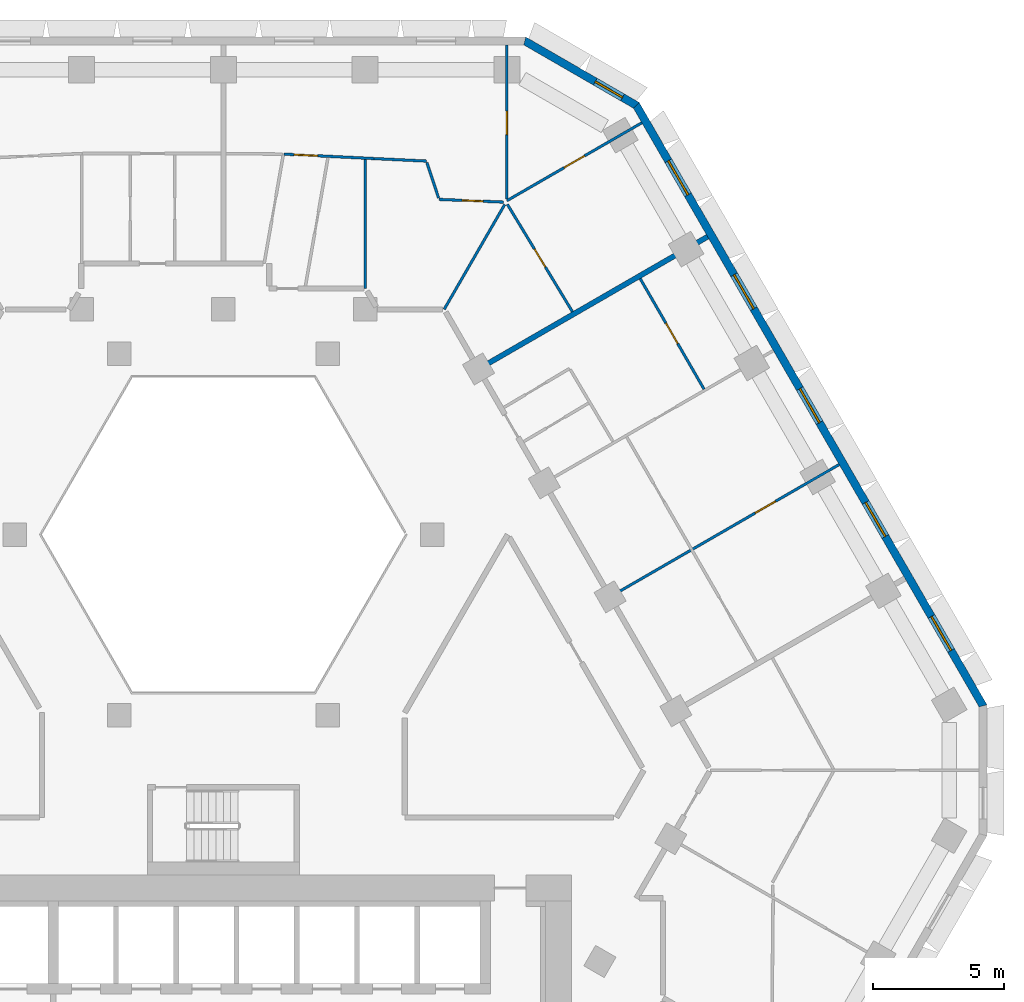
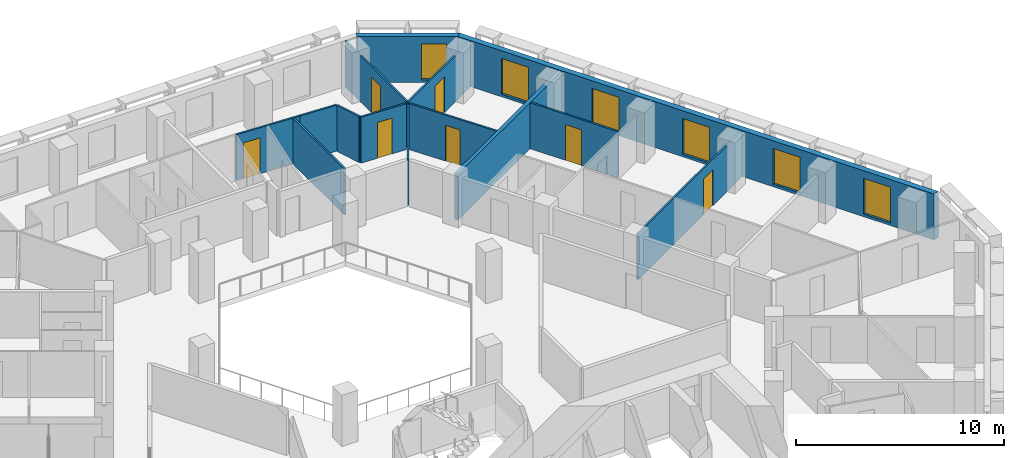
# One storey, part 9 of 15: 14 walls, 7 doors, 6 windows, 13 openings.
"""IFC4 building model written with IfcOpenShell, lengths in metres."""

from ifc_helpers import new_model, si_unit, direction, frame, frame_2d, origin, place, context, subcontext, project, spatial, polyline, rectangle, outline, extrude, material, layer, layer_set, type_object, element, fill, save


model = new_model("IFC4")

# Units and contexts
model_context = context("Model", 3, precision=1e-05, world=origin(), true_north=direction((0.0, 1.0)))
body_context = subcontext(model_context, "Body", "Model", "MODEL_VIEW")
ifc_project = project(units=[si_unit("LENGTHUNIT", "METRE"), si_unit("AREAUNIT", "SQUARE_METRE"), si_unit("VOLUMEUNIT", "CUBIC_METRE"), si_unit("PLANEANGLEUNIT", "RADIAN"), si_unit("MASSUNIT", "GRAM", prefix="KILO")], contexts=[model_context])

# Site, building, storey
site_placement = place(None, origin())
site = spatial("IfcSite", under=ifc_project, at=site_placement, CompositionType="ELEMENT")
building_placement = place(site_placement, origin())
building = spatial("IfcBuilding", under=site, at=building_placement, Name="Beryl Residences", CompositionType="ELEMENT")
storey_placement = place(building_placement, frame((0.0, 0.0, 78.0)))
storey = spatial("IfcBuildingStorey", under=building, at=storey_placement, Name="L23", CompositionType="ELEMENT", Elevation=78.0)

# Wall, openings, windows
ifc_material_1 = material(Name="Composite metal panel with mineral wool insulation")
ifc_layer_1 = layer(ifc_material_1, 0.300048828125)
ifc_layer_set_1 = layer_set([ifc_layer_1], Name="ES1 pale metal composite panel wall 300 mm")
wall_type_1 = type_object("IfcWallType", Name="ES1 pale metal composite panel wall 300 mm", PredefinedType="SOLIDWALL", material=ifc_layer_set_1)
wall_1_placement = place(storey_placement, frame((29.027099609375, 1.425048828125, 0.0), z_axis=(0.0, 0.0, 1.0), x_axis=(-0.500027479704, 0.866009537788, 0.0)))
wall_1 = element("IfcWall", 1, at=wall_1_placement, inside=storey, type_object=wall_type_1, Name="ES1 external wall L23 NE", PredefinedType="SOLIDWALL", context=body_context, shape_type="SweptSolid", body=[
    extrude(outline(polyline([(0.0, -0.14990234375), (26.55859375, -0.14990234375), (26.478271484375, 0.14990234375), (0.080322265625, 0.14990234375), (0.0, -0.14990234375)])), origin(), (0.0, 0.0, 1.0), 2.699951171875),
])
opening_1_placement = place(wall_1_placement, frame((2.48291015625, 0.0, 0.14990234375)))
opening_1 = element("IfcOpeningElement", 2, at=opening_1_placement, cuts=wall_1, Name="Opening W1", PredefinedType="OPENING", context=body_context, shape_type="SweptSolid", body=[
    extrude(rectangle(XDim=1.5, YDim=2.10009765625, at=frame_2d((0.75, 1.050048828125))), frame((0.0, 0.159912109375, 0.0), z_axis=(0.0, -1.0, 0.0), x_axis=(1.0, 0.0, 0.0)), (0.0, 0.0, 1.0), 0.320068359375),
])
opening_2_placement = place(wall_1_placement, frame((7.506103515625, 0.0, 0.14990234375)))
opening_2 = element("IfcOpeningElement", 3, at=opening_2_placement, cuts=wall_1, Name="Opening W1", PredefinedType="OPENING", context=body_context, shape_type="SweptSolid", body=[
    extrude(rectangle(XDim=1.5, YDim=2.10009765625, at=frame_2d((0.75, 1.050048828125))), frame((0.0, 0.159912109375, 0.0), z_axis=(0.0, -1.0, 0.0), x_axis=(1.0, 0.0, 0.0)), (0.0, 0.0, 1.0), 0.320068359375),
])
opening_3_placement = place(wall_1_placement, frame((12.529052734375, 0.0, 0.14990234375)))
opening_3 = element("IfcOpeningElement", 4, at=opening_3_placement, cuts=wall_1, Name="Opening W1", PredefinedType="OPENING", context=body_context, shape_type="SweptSolid", body=[
    extrude(rectangle(XDim=1.5, YDim=2.10009765625, at=frame_2d((0.75, 1.050048828125))), frame((0.0, 0.159912109375, 0.0), z_axis=(0.0, -1.0, 0.0), x_axis=(1.0, 0.0, 0.0)), (0.0, 0.0, 1.0), 0.320068359375),
])
opening_4_placement = place(wall_1_placement, frame((17.552001953125, 0.0, 0.14990234375)))
opening_4 = element("IfcOpeningElement", 5, at=opening_4_placement, cuts=wall_1, Name="Opening W1", PredefinedType="OPENING", context=body_context, shape_type="SweptSolid", body=[
    extrude(rectangle(XDim=1.5, YDim=2.10009765625, at=frame_2d((0.75, 1.050048828125))), frame((0.0, 0.159912109375, 0.0), z_axis=(0.0, -1.0, 0.0), x_axis=(1.0, 0.0, 0.0)), (0.0, 0.0, 1.0), 0.320068359375),
])
opening_5_placement = place(wall_1_placement, frame((22.574951171875, 0.0, 0.14990234375)))
opening_5 = element("IfcOpeningElement", 6, at=opening_5_placement, cuts=wall_1, Name="Opening W1", PredefinedType="OPENING", context=body_context, shape_type="SweptSolid", body=[
    extrude(rectangle(XDim=1.5, YDim=2.10009765625, at=frame_2d((0.75, 1.050048828125))), frame((0.0, 0.159912109375, 0.0), z_axis=(0.0, -1.0, 0.0), x_axis=(1.0, 0.0, 0.0)), (0.0, 0.0, 1.0), 0.320068359375),
])
ifc_material_2 = material(Name="Aluminium and clear glass", Category="aluminium")
window_type_1 = type_object("IfcWindowType", Name="W1 cell window 1500 x 2100 mm", PartitioningType="SINGLE_PANEL", PredefinedType="WINDOW", material=ifc_material_2)
window_1_placement = place(opening_1_placement, origin())
window_1 = element("IfcWindow", 7, at=window_1_placement, inside=storey, type_object=window_type_1, Name="W1 window L23 NE 2", OverallHeight=2.10009765625, OverallWidth=1.5, PartitioningType="SINGLE_PANEL", PredefinedType="WINDOW", context=body_context, shape_type="SweptSolid", body=[
    extrude(rectangle(XDim=1.5, YDim=2.10009765625, at=frame_2d((0.75, 1.050048828125))), frame((0.0, 0.030029296875, 0.0), z_axis=(0.0, -1.0, 0.0), x_axis=(1.0, 0.0, 0.0)), (0.0, 0.0, 1.0), 0.06005859375),
])
fill(opening_1, window_1)
window_2_placement = place(opening_2_placement, origin())
window_2 = element("IfcWindow", 8, at=window_2_placement, inside=storey, type_object=window_type_1, Name="W1 window L23 NE 4", OverallHeight=2.10009765625, OverallWidth=1.5, PartitioningType="SINGLE_PANEL", PredefinedType="WINDOW", context=body_context, shape_type="SweptSolid", body=[
    extrude(rectangle(XDim=1.5, YDim=2.10009765625, at=frame_2d((0.75, 1.050048828125))), frame((0.0, 0.030029296875, 0.0), z_axis=(0.0, -1.0, 0.0), x_axis=(1.0, 0.0, 0.0)), (0.0, 0.0, 1.0), 0.06005859375),
])
fill(opening_2, window_2)
window_3_placement = place(opening_3_placement, origin())
window_3 = element("IfcWindow", 9, at=window_3_placement, inside=storey, type_object=window_type_1, Name="W1 window L23 NE 6", OverallHeight=2.10009765625, OverallWidth=1.5, PartitioningType="SINGLE_PANEL", PredefinedType="WINDOW", context=body_context, shape_type="SweptSolid", body=[
    extrude(rectangle(XDim=1.5, YDim=2.10009765625, at=frame_2d((0.75, 1.050048828125))), frame((0.0, 0.030029296875, 0.0), z_axis=(0.0, -1.0, 0.0), x_axis=(1.0, 0.0, 0.0)), (0.0, 0.0, 1.0), 0.06005859375),
])
fill(opening_3, window_3)
window_4_placement = place(opening_4_placement, origin())
window_4 = element("IfcWindow", 10, at=window_4_placement, inside=storey, type_object=window_type_1, Name="W1 window L23 NE 8", OverallHeight=2.10009765625, OverallWidth=1.5, PartitioningType="SINGLE_PANEL", PredefinedType="WINDOW", context=body_context, shape_type="SweptSolid", body=[
    extrude(rectangle(XDim=1.5, YDim=2.10009765625, at=frame_2d((0.75, 1.050048828125))), frame((0.0, 0.030029296875, 0.0), z_axis=(0.0, -1.0, 0.0), x_axis=(1.0, 0.0, 0.0)), (0.0, 0.0, 1.0), 0.06005859375),
])
fill(opening_4, window_4)
window_5_placement = place(opening_5_placement, origin())
window_5 = element("IfcWindow", 11, at=window_5_placement, inside=storey, type_object=window_type_1, Name="W1 window L23 NE 10", OverallHeight=2.10009765625, OverallWidth=1.5, PartitioningType="SINGLE_PANEL", PredefinedType="WINDOW", context=body_context, shape_type="SweptSolid", body=[
    extrude(rectangle(XDim=1.5, YDim=2.10009765625, at=frame_2d((0.75, 1.050048828125))), frame((0.0, 0.030029296875, 0.0), z_axis=(0.0, -1.0, 0.0), x_axis=(1.0, 0.0, 0.0)), (0.0, 0.0, 1.0), 0.06005859375),
])
fill(opening_5, window_5)

# Wall, opening, window
wall_2_placement = place(storey_placement, frame((15.802001953125, 24.3701171875, 0.0), z_axis=(0.0, 0.0, 1.0), x_axis=(-0.866022959057, 0.500004234368, 0.0)))
wall_2 = element("IfcWall", 12, at=wall_2_placement, inside=storey, type_object=wall_type_1, Name="ES1 external wall L23 NE-N", PredefinedType="SOLIDWALL", context=body_context, shape_type="SweptSolid", body=[
    extrude(outline(polyline([(0.0, -0.14990234375), (5.0, -0.14990234375), (4.919677734375, 0.14990234375), (0.080322265625, 0.14990234375), (0.0, -0.14990234375)])), origin(), (0.0, 0.0, 1.0), 2.699951171875),
])
opening_6_placement = place(wall_2_placement, frame((0.64990234375, 0.0, 0.14990234375)))
opening_6 = element("IfcOpeningElement", 13, at=opening_6_placement, cuts=wall_2, Name="Opening W2", PredefinedType="OPENING", context=body_context, shape_type="SweptSolid", body=[
    extrude(rectangle(XDim=1.199951171875, YDim=2.10009765625, at=frame_2d((0.60009765625, 1.050048828125))), frame((0.0, 0.159912109375, 0.0), z_axis=(0.0, -1.0, 0.0), x_axis=(1.0, 0.0, 0.0)), (0.0, 0.0, 1.0), 0.320068359375),
])
ifc_material_3 = material(Name="Aluminium and clear glass", Category="aluminium")
window_type_2 = type_object("IfcWindowType", Name="W2 chamfer window 1200 x 2100 mm", PartitioningType="SINGLE_PANEL", PredefinedType="WINDOW", material=ifc_material_3)
window_6_placement = place(opening_6_placement, origin())
window_6 = element("IfcWindow", 14, at=window_6_placement, inside=storey, type_object=window_type_2, Name="W2 window L23 NE-N 1", OverallHeight=2.10009765625, OverallWidth=1.199951171875, PartitioningType="SINGLE_PANEL", PredefinedType="WINDOW", context=body_context, shape_type="SweptSolid", body=[
    extrude(rectangle(XDim=1.199951171875, YDim=2.10009765625, at=frame_2d((0.60009765625, 1.050048828125))), frame((0.0, 0.030029296875, 0.0), z_axis=(0.0, -1.0, 0.0), x_axis=(1.0, 0.0, 0.0)), (0.0, 0.0, 1.0), 0.06005859375),
])
fill(opening_6, window_6)

# Wall
ifc_material_4 = material(Name="Gypsum board partition on steel studs", Category="steel")
ifc_layer_2 = layer(ifc_material_4, 0.10009765625)
ifc_layer_set_2 = layer_set([ifc_layer_2], Name="PT1 partition 100 mm gypsum board on steel studs")
wall_type_2 = type_object("IfcWallType", Name="PT1 partition 100 mm gypsum board on steel studs", PredefinedType="PARTITIONING", material=ifc_layer_set_2)
wall_3_placement = place(storey_placement, frame((7.76904296875, 22.2119140625, 0.0), z_axis=(0.0, 0.0, 1.0), x_axis=(0.313312924695, -0.949649941409, 0.0)))
element("IfcWall", 15, at=wall_3_placement, inside=storey, type_object=wall_type_2, Name="Wall PT1 L23 002", PredefinedType="PARTITIONING", context=body_context, shape_type="SweptSolid", body=[
    extrude(rectangle(XDim=1.43310546875, YDim=0.10009765625, at=frame_2d((0.716552734375, 0.0))), origin(), (0.0, 0.0, 1.0), 2.699951171875),
])

# Wall, opening, door
wall_4_placement = place(storey_placement, frame((10.843017578125, 20.610107421875, 0.0), z_axis=(0.0, 0.0, 1.0), x_axis=(0.518481125811, -0.855089072657, 0.0)))
wall_4 = element("IfcWall", 16, at=wall_4_placement, inside=storey, type_object=wall_type_2, Name="Wall PT1 L23 003", PredefinedType="PARTITIONING", context=body_context, shape_type="SweptSolid", body=[
    extrude(rectangle(XDim=4.794921875, YDim=0.10009765625, at=frame_2d((2.3974609375, 0.0))), origin(), (0.0, 0.0, 1.0), 2.699951171875),
])
opening_7_placement = place(wall_4_placement, frame((1.9990234375, 0.0, 0.0)))
opening_7 = element("IfcOpeningElement", 17, at=opening_7_placement, cuts=wall_4, Name="Opening D0822", PredefinedType="OPENING", context=body_context, shape_type="SweptSolid", body=[
    extrude(rectangle(XDim=0.800048828125, YDim=2.10009765625, at=frame_2d((0.39990234375, 1.050048828125))), frame((0.0, 0.06005859375, 0.0), z_axis=(0.0, -1.0, 0.0), x_axis=(1.0, 0.0, 0.0)), (0.0, 0.0, 1.0), 0.1201171875),
])
ifc_material_5 = material(Name="Timber door leaf", Category="wood")
door_type_1 = type_object("IfcDoorType", Name="D3 bathroom door 800 x 2100 mm", OperationType="SINGLE_SWING_LEFT", PredefinedType="DOOR", material=ifc_material_5)
door_1_placement = place(opening_7_placement, origin())
door_1 = element("IfcDoor", 18, at=door_1_placement, inside=storey, type_object=door_type_1, Name="Door D0822 L23 001", OperationType="SINGLE_SWING_RIGHT", OverallHeight=2.10009765625, OverallWidth=0.800048828125, PredefinedType="DOOR", context=body_context, shape_type="SweptSolid", body=[
    extrude(rectangle(XDim=0.800048828125, YDim=2.10009765625, at=frame_2d((0.39990234375, 1.050048828125))), frame((0.0, 0.02490234375, 0.0), z_axis=(0.0, -1.0, 0.0), x_axis=(1.0, 0.0, 0.0)), (0.0, 0.0, 1.0), 0.050048828125),
])
fill(opening_7, door_1)

wall_5_placement = place(storey_placement, frame((15.916015625, 17.77294921875, 0.0), z_axis=(0.0, 0.0, 1.0), x_axis=(0.500093956194, -0.865971151354, 0.0)))
wall_5 = element("IfcWall", 19, at=wall_5_placement, inside=storey, type_object=wall_type_2, Name="Wall PT1 L23 007", PredefinedType="PARTITIONING", context=body_context, shape_type="SweptSolid", body=[
    extrude(rectangle(XDim=4.873046875, YDim=0.10009765625, at=frame_2d((2.4365234375, 0.0))), origin(), (0.0, 0.0, 1.0), 2.699951171875),
])
opening_8_placement = place(wall_5_placement, frame((1.9619140625, 0.0, 0.0)))
opening_8 = element("IfcOpeningElement", 20, at=opening_8_placement, cuts=wall_5, Name="Opening D0810", PredefinedType="OPENING", context=body_context, shape_type="SweptSolid", body=[
    extrude(rectangle(XDim=0.89990234375, YDim=2.10009765625, at=frame_2d((0.449951171875, 1.050048828125))), frame((0.0, 0.06005859375, 0.0), z_axis=(0.0, -1.0, 0.0), x_axis=(1.0, 0.0, 0.0)), (0.0, 0.0, 1.0), 0.1201171875),
])
ifc_material_6 = material(Name="Timber door leaf", Category="wood")
door_type_2 = type_object("IfcDoorType", Name="D2 room door 900 x 2100 mm", OperationType="SINGLE_SWING_LEFT", PredefinedType="DOOR", material=ifc_material_6)
door_2_placement = place(opening_8_placement, origin())
door_2 = element("IfcDoor", 21, at=door_2_placement, inside=storey, type_object=door_type_2, Name="Door D0810 L23 001", OperationType="SINGLE_SWING_RIGHT", OverallHeight=2.10009765625, OverallWidth=0.89990234375, PredefinedType="DOOR", context=body_context, shape_type="SweptSolid", body=[
    extrude(rectangle(XDim=0.89990234375, YDim=2.10009765625, at=frame_2d((0.449951171875, 1.050048828125))), frame((0.0, 0.02490234375, 0.0), z_axis=(0.0, -1.0, 0.0), x_axis=(1.0, 0.0, 0.0)), (0.0, 0.0, 1.0), 0.050048828125),
])
fill(opening_8, door_2)

wall_6_placement = place(storey_placement, frame((8.235107421875, 20.800048828125, 0.0), z_axis=(0.0, 0.0, 1.0), x_axis=(0.999110277005, -0.042174096116, 0.0)))
wall_6 = element("IfcWall", 22, at=wall_6_placement, inside=storey, type_object=wall_type_2, Name="Wall PT1 L23 016", PredefinedType="PARTITIONING", context=body_context, shape_type="SweptSolid", body=[
    extrude(rectangle(XDim=2.466064453125, YDim=0.10009765625, at=frame_2d((1.23291015625, 0.0))), origin(), (0.0, 0.0, 1.0), 2.699951171875),
])
opening_9_placement = place(wall_6_placement, frame((0.8798828125, 0.0, 0.0)))
opening_9 = element("IfcOpeningElement", 23, at=opening_9_placement, cuts=wall_6, Name="Opening D0820", PredefinedType="OPENING", context=body_context, shape_type="SweptSolid", body=[
    extrude(rectangle(XDim=0.800048828125, YDim=2.10009765625, at=frame_2d((0.39990234375, 1.050048828125))), frame((0.0, 0.06005859375, 0.0), z_axis=(0.0, -1.0, 0.0), x_axis=(1.0, 0.0, 0.0)), (0.0, 0.0, 1.0), 0.1201171875),
])
door_3_placement = place(opening_9_placement, origin())
door_3 = element("IfcDoor", 24, at=door_3_placement, inside=storey, type_object=door_type_1, Name="Door D0820 L23 001", OperationType="SINGLE_SWING_RIGHT", OverallHeight=2.10009765625, OverallWidth=0.800048828125, PredefinedType="DOOR", context=body_context, shape_type="SweptSolid", body=[
    extrude(rectangle(XDim=0.800048828125, YDim=2.10009765625, at=frame_2d((0.39990234375, 1.050048828125))), frame((0.0, 0.02490234375, 0.0), z_axis=(0.0, -1.0, 0.0), x_axis=(1.0, 0.0, 0.0)), (0.0, 0.0, 1.0), 0.050048828125),
])
fill(opening_9, door_3)

# Wall
wall_7_placement = place(storey_placement, frame((5.757080078125, 22.35791015625, 0.0), z_axis=(0.0, 0.0, 1.0), x_axis=(0.998868690804, -0.047553533316, 0.0)))
element("IfcWall", 25, at=wall_7_placement, inside=storey, type_object=wall_type_2, Name="Wall PT1 L23 017", PredefinedType="PARTITIONING", context=body_context, shape_type="SweptSolid", body=[
    extrude(rectangle(XDim=1.9970703125, YDim=0.10009765625, at=frame_2d((0.99853515625, 0.0))), origin(), (0.0, 0.0, 1.0), 2.699951171875),
])

# Wall, opening, door
wall_8_placement = place(storey_placement, frame((2.321044921875, 22.527099609375, 0.0), z_axis=(0.0, 0.0, 1.0), x_axis=(0.998789924329, -0.049180149038, 0.0)))
wall_8 = element("IfcWall", 26, at=wall_8_placement, inside=storey, type_object=wall_type_2, Name="Wall PT1 L23 018", PredefinedType="PARTITIONING", context=body_context, shape_type="SweptSolid", body=[
    extrude(rectangle(XDim=3.440185546875, YDim=0.10009765625, at=frame_2d((1.72021484375, 0.0))), origin(), (0.0, 0.0, 1.0), 2.699951171875),
])
opening_10_placement = place(wall_8_placement, frame((0.3759765625, 0.0, 0.0)))
opening_10 = element("IfcOpeningElement", 27, at=opening_10_placement, cuts=wall_8, Name="Opening D0818", PredefinedType="OPENING", context=body_context, shape_type="SweptSolid", body=[
    extrude(rectangle(XDim=0.89990234375, YDim=2.10009765625, at=frame_2d((0.449951171875, 1.050048828125))), frame((0.0, 0.06005859375, 0.0), z_axis=(0.0, -1.0, 0.0), x_axis=(1.0, 0.0, 0.0)), (0.0, 0.0, 1.0), 0.1201171875),
])
door_4_placement = place(opening_10_placement, origin())
door_4 = element("IfcDoor", 28, at=door_4_placement, inside=storey, type_object=door_type_2, Name="Door D0818 L23 001", OperationType="SINGLE_SWING_RIGHT", OverallHeight=2.10009765625, OverallWidth=0.89990234375, PredefinedType="DOOR", context=body_context, shape_type="SweptSolid", body=[
    extrude(rectangle(XDim=0.89990234375, YDim=2.10009765625, at=frame_2d((0.449951171875, 1.050048828125))), frame((0.0, 0.02490234375, 0.0), z_axis=(0.0, -1.0, 0.0), x_axis=(1.0, 0.0, 0.0)), (0.0, 0.0, 1.0), 0.050048828125),
])
fill(opening_10, door_4)

# Walls
wall_9_placement = place(storey_placement, frame((8.429931640625, 16.60009765625, 0.0), z_axis=(0.0, 0.0, 1.0), x_axis=(0.50003312339, 0.866006279142, 0.0)))
element("IfcWall", 29, at=wall_9_placement, inside=storey, type_object=wall_type_2, Name="Wall PT1 L23 034", PredefinedType="PARTITIONING", context=body_context, shape_type="SweptSolid", body=[
    extrude(rectangle(XDim=4.625732421875, YDim=0.10009765625, at=frame_2d((2.31298828125, 0.0))), origin(), (0.0, 0.0, 1.0), 2.699951171875),
])
wall_10_placement = place(storey_placement, frame((5.412109375, 17.39990234375, 0.0), z_axis=(0.0, 0.0, 1.0), x_axis=(0.0, 1.0, 0.0)))
element("IfcWall", 30, at=wall_10_placement, inside=storey, type_object=wall_type_2, Name="Wall PT1 L23 047", PredefinedType="PARTITIONING", context=body_context, shape_type="SweptSolid", body=[
    extrude(rectangle(XDim=4.925048828125, YDim=0.10009765625, at=frame_2d((2.46240234375, 0.0))), origin(), (0.0, 0.0, 1.0), 2.699951171875),
])

# Wall, opening, door
wall_11_placement = place(storey_placement, frame((10.824951171875, 20.805908203125, 0.0), z_axis=(0.0, 0.0, 1.0), x_axis=(0.0, 1.0, 0.0)))
wall_11 = element("IfcWall", 31, at=wall_11_placement, inside=storey, type_object=wall_type_2, Name="Wall PT1 L23 050", PredefinedType="PARTITIONING", context=body_context, shape_type="SweptSolid", body=[
    extrude(rectangle(XDim=5.89404296875, YDim=0.10009765625, at=frame_2d((2.947021484375, 0.0))), origin(), (0.0, 0.0, 1.0), 2.699951171875),
])
opening_11_placement = place(wall_11_placement, frame((2.468017578125, 0.0, 0.0)))
opening_11 = element("IfcOpeningElement", 32, at=opening_11_placement, cuts=wall_11, Name="Opening D0819", PredefinedType="OPENING", context=body_context, shape_type="SweptSolid", body=[
    extrude(rectangle(XDim=0.89990234375, YDim=2.10009765625, at=frame_2d((0.449951171875, 1.050048828125))), frame((0.0, 0.06005859375, 0.0), z_axis=(0.0, -1.0, 0.0), x_axis=(1.0, 0.0, 0.0)), (0.0, 0.0, 1.0), 0.1201171875),
])
door_5_placement = place(opening_11_placement, origin())
door_5 = element("IfcDoor", 33, at=door_5_placement, inside=storey, type_object=door_type_2, Name="Door D0819 L23 001", OperationType="SINGLE_SWING_LEFT", OverallHeight=2.10009765625, OverallWidth=0.89990234375, PredefinedType="DOOR", context=body_context, shape_type="SweptSolid", body=[
    extrude(rectangle(XDim=0.89990234375, YDim=2.10009765625, at=frame_2d((0.449951171875, 1.050048828125))), frame((0.0, 0.02490234375, 0.0), z_axis=(0.0, -1.0, 0.0), x_axis=(1.0, 0.0, 0.0)), (0.0, 0.0, 1.0), 0.050048828125),
])
fill(opening_11, door_5)

wall_12_placement = place(storey_placement, frame((14.85302734375, 5.675048828125, 0.0), z_axis=(0.0, 0.0, 1.0), x_axis=(0.866016855193, 0.500014806302, 0.0)))
wall_12 = element("IfcWall", 34, at=wall_12_placement, inside=storey, type_object=wall_type_2, Name="Wall PT1 L23 064", PredefinedType="PARTITIONING", context=body_context, shape_type="SweptSolid", body=[
    extrude(rectangle(XDim=9.999755859375, YDim=0.10009765625, at=frame_2d((5.0, 0.0))), origin(), (0.0, 0.0, 1.0), 2.699951171875),
])
opening_12_placement = place(wall_12_placement, frame((6.300048828125, 0.0, 0.0)))
opening_12 = element("IfcOpeningElement", 35, at=opening_12_placement, cuts=wall_12, Name="Opening D0812", PredefinedType="OPENING", context=body_context, shape_type="SweptSolid", body=[
    extrude(rectangle(XDim=0.89990234375, YDim=2.10009765625, at=frame_2d((0.449951171875, 1.050048828125))), frame((0.0, 0.06005859375, 0.0), z_axis=(0.0, -1.0, 0.0), x_axis=(1.0, 0.0, 0.0)), (0.0, 0.0, 1.0), 0.1201171875),
])
door_6_placement = place(opening_12_placement, origin())
door_6 = element("IfcDoor", 36, at=door_6_placement, inside=storey, type_object=door_type_2, Name="Door D0812 L23 001", OperationType="SINGLE_SWING_RIGHT", OverallHeight=2.10009765625, OverallWidth=0.89990234375, PredefinedType="DOOR", context=body_context, shape_type="SweptSolid", body=[
    extrude(rectangle(XDim=0.89990234375, YDim=2.10009765625, at=frame_2d((0.449951171875, 1.050048828125))), frame((0.0, 0.02490234375, 0.0), z_axis=(0.0, -1.0, 0.0), x_axis=(1.0, 0.0, 0.0)), (0.0, 0.0, 1.0), 0.050048828125),
])
fill(opening_12, door_6)

wall_13_placement = place(storey_placement, frame((10.825927734375, 20.75, 0.0), z_axis=(0.0, 0.0, 1.0), x_axis=(0.865986712877, 0.50006700863, 0.0)))
wall_13 = element("IfcWall", 37, at=wall_13_placement, inside=storey, type_object=wall_type_2, Name="Wall PT1 L23 066", PredefinedType="PARTITIONING", context=body_context, shape_type="SweptSolid", body=[
    extrude(rectangle(XDim=5.949462890625, YDim=0.10009765625, at=frame_2d((2.974609375, 0.0))), origin(), (0.0, 0.0, 1.0), 2.699951171875),
])
opening_13_placement = place(wall_13_placement, frame((2.52392578125, 0.0, 0.0)))
opening_13 = element("IfcOpeningElement", 38, at=opening_13_placement, cuts=wall_13, Name="Opening D0821", PredefinedType="OPENING", context=body_context, shape_type="SweptSolid", body=[
    extrude(rectangle(XDim=0.89990234375, YDim=2.10009765625, at=frame_2d((0.449951171875, 1.050048828125))), frame((0.0, 0.06005859375, 0.0), z_axis=(0.0, -1.0, 0.0), x_axis=(1.0, 0.0, 0.0)), (0.0, 0.0, 1.0), 0.1201171875),
])
door_7_placement = place(opening_13_placement, origin())
door_7 = element("IfcDoor", 39, at=door_7_placement, inside=storey, type_object=door_type_2, Name="Door D0821 L23 001", OperationType="SINGLE_SWING_LEFT", OverallHeight=2.10009765625, OverallWidth=0.89990234375, PredefinedType="DOOR", context=body_context, shape_type="SweptSolid", body=[
    extrude(rectangle(XDim=0.89990234375, YDim=2.10009765625, at=frame_2d((0.449951171875, 1.050048828125))), frame((0.0, 0.02490234375, 0.0), z_axis=(0.0, -1.0, 0.0), x_axis=(1.0, 0.0, 0.0)), (0.0, 0.0, 1.0), 0.050048828125),
])
fill(opening_13, door_7)

# Wall
ifc_material_7 = material(Name="Acoustic double stud gypsum board wall")
ifc_layer_3 = layer(ifc_material_7, 0.199951171875)
ifc_layer_set_3 = layer_set([ifc_layer_3], Name="PT3 party wall 200 mm acoustic double stud")
wall_type_3 = type_object("IfcWallType", Name="PT3 party wall 200 mm acoustic double stud", PredefinedType="PARTITIONING", material=ifc_layer_set_3)
wall_14_placement = place(storey_placement, frame((9.830078125, 14.375, 0.0), z_axis=(0.0, 0.0, 1.0), x_axis=(0.865992435864, 0.500057097767, 0.0)))
element("IfcWall", 40, at=wall_14_placement, inside=storey, type_object=wall_type_3, Name="Wall PT3 L23 013", PredefinedType="PARTITIONING", context=body_context, shape_type="SweptSolid", body=[
    extrude(rectangle(XDim=9.998779296875, YDim=0.199951171875, at=frame_2d((4.99951171875, 0.0))), origin(), (0.0, 0.0, 1.0), 2.699951171875),
])

save(model, "model.ifc")
